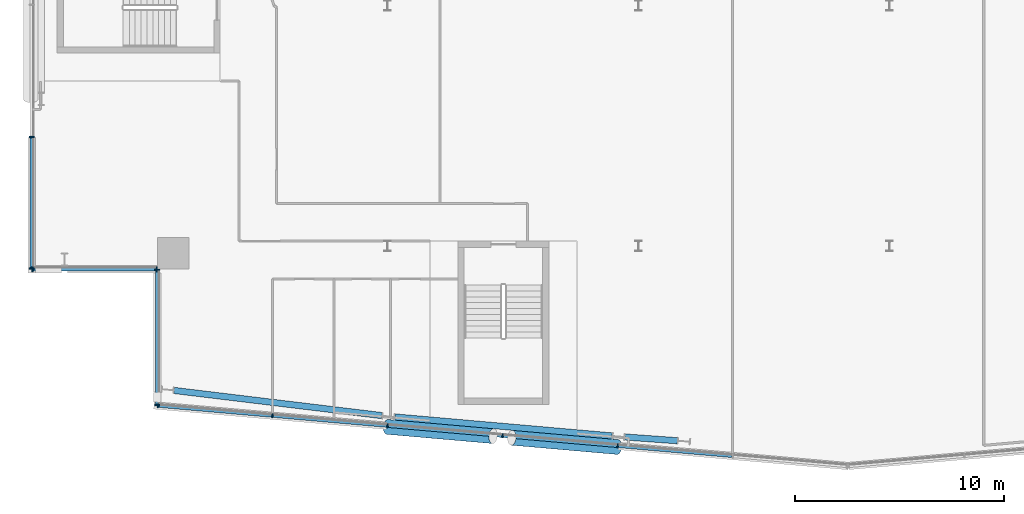
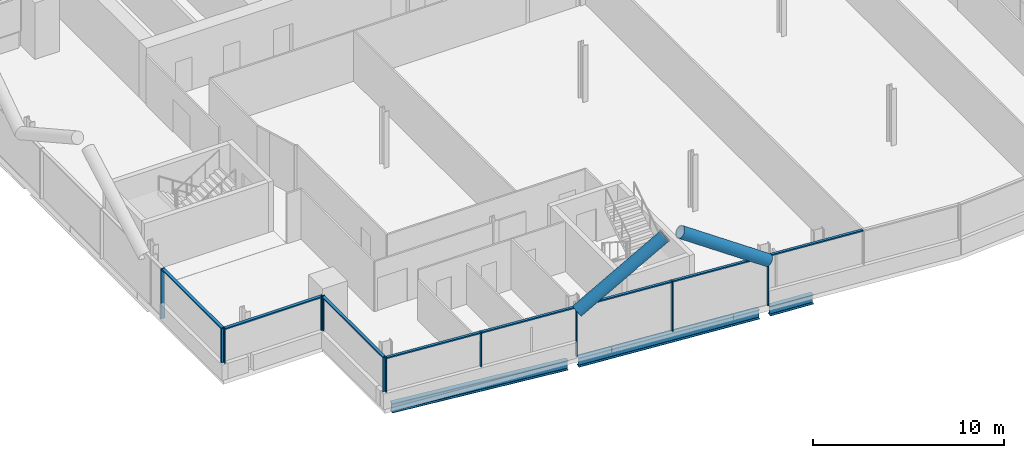
# One storey, part 6 of 26: 21 members, 3 beams, 4 elements without a shape of their own.
"""IFC4 building model written with IfcOpenShell, lengths in metres."""

from ifc_helpers import new_model, si_unit, direction, frame, origin, origin_2d, place, context, subcontext, project, spatial, rectangle, hollow_circle, i_section, extrude, material, material_profile, profile_set, type_object, element, aggregate, save


model = new_model("IFC4")

# Units and contexts
model_context = context("Model", 3, precision=1e-05, world=origin(), true_north=direction((0.0, 1.0)))
body_context = subcontext(model_context, "Body", "Model", "MODEL_VIEW")
ifc_project = project(units=[si_unit("LENGTHUNIT", "METRE"), si_unit("AREAUNIT", "SQUARE_METRE"), si_unit("VOLUMEUNIT", "CUBIC_METRE"), si_unit("PLANEANGLEUNIT", "RADIAN"), si_unit("MASSUNIT", "GRAM", prefix="KILO")], contexts=[model_context])

# Site, building, storey
site_placement = place(None, origin())
site = spatial("IfcSite", under=ifc_project, at=site_placement, CompositionType="ELEMENT")
building_placement = place(site_placement, origin())
building = spatial("IfcBuilding", under=site, at=building_placement, Name="Wharfspan Tower", CompositionType="ELEMENT")
storey_placement = place(building_placement, frame((0.0, 0.0, 184.300049)))
storey = spatial("IfcBuildingStorey", under=building, at=storey_placement, Name="L45", CompositionType="ELEMENT", Elevation=184.300049)

# Beams
ifc_material_1 = material(Name="Steel S355J2", Category="steel")
ifc_material_profile_1 = material_profile(ifc_material_1, i_section(OverallWidth=0.300049, OverallDepth=0.600098, WebThickness=0.015381, FlangeThickness=0.030029, FilletRadius=0.0271, at=origin_2d()))
ifc_profile_set_1 = profile_set([ifc_material_profile_1], Name="Steel S355J2")
beam_type = type_object("IfcBeamType", Name="Edge beam HEB 600", PredefinedType="SPANDREL", material=ifc_profile_set_1)
beam_1_placement = place(storey_placement, frame((13.794678, 4.600586, -0.699951), z_axis=(0.992758, -0.12013, 0.0), x_axis=(0.12013, 0.992758, 0.0)))
element("IfcBeam", 1, at=beam_1_placement, inside=storey, type_object=beam_type, Name="Edge beam S1 L45 PS1.1 to PS1.2", PredefinedType="SPANDREL", context=body_context, shape_type="SweptSolid", body=[
    extrude(i_section(OverallWidth=0.300049, OverallDepth=0.600098, WebThickness=0.015381, FlangeThickness=0.030029, FilletRadius=0.0271, at=origin_2d()), origin(), (0.0, 0.0, 1.0), 10.013184),
])
beam_2_placement = place(storey_placement, frame((24.343994, 3.334229, -0.699951), z_axis=(0.996196, -0.087146, 0.0), x_axis=(0.087146, 0.996196, 0.0)))
element("IfcBeam", 2, at=beam_2_placement, inside=storey, type_object=beam_type, Name="Edge beam S1 L45 PS1.2 to PS1.3", PredefinedType="SPANDREL", context=body_context, shape_type="SweptSolid", body=[
    extrude(i_section(OverallWidth=0.300049, OverallDepth=0.600098, WebThickness=0.015381, FlangeThickness=0.030029, FilletRadius=0.0271, at=origin_2d()), origin(), (0.0, 0.0, 1.0), 10.430176),
])
beam_3_placement = place(storey_placement, frame((35.344482, 2.376709, -0.699951), z_axis=(0.997423, -0.07175, 0.0), x_axis=(0.07175, 0.997423, 0.0)))
element("IfcBeam", 3, at=beam_3_placement, inside=storey, type_object=beam_type, Name="Edge beam S1 L45 PS1.3 to PS1.4", PredefinedType="SPANDREL", context=body_context, shape_type="SweptSolid", body=[
    extrude(i_section(OverallWidth=0.300049, OverallDepth=0.600098, WebThickness=0.015381, FlangeThickness=0.030029, FilletRadius=0.0271, at=origin_2d()), origin(), (0.0, 0.0, 1.0), 2.518066),
])

# Curtain wall, members
ifc_material_2 = material(Name="Aluminium 6063-T6", Category="aluminium")
curtain_wall_type_1 = type_object("IfcCurtainWallType", Name="CURTAIN WALL FACETED FRONT", PredefinedType="NOTDEFINED", material=ifc_material_2)
curtain_wall_1_placement = place(storey_placement, origin())
curtain_wall_1 = element("IfcCurtainWall", 4, at=curtain_wall_1_placement, inside=storey, type_object=curtain_wall_type_1, Name="Curtain wall S1", PredefinedType="NOTDEFINED")
ifc_material_profile_2 = material_profile(ifc_material_2, rectangle(XDim=0.199951, YDim=0.060059, at=origin_2d()))
ifc_profile_set_2 = profile_set([ifc_material_profile_2], Name="Aluminium 6063-T6")
member_type_1 = type_object("IfcMemberType", Name="MULLION FACETED FRONT 60x200", PredefinedType="MULLION", material=ifc_profile_set_2)
member_1_placement = place(storey_placement, frame((13.029785, 3.872559, 1.0), z_axis=(0.0, 0.0, 1.0), x_axis=(0.087156, 0.996198, 0.0)))
member_1 = element("IfcMember", 5, at=member_1_placement, type_object=member_type_1, Name="Curtain wall S1 mullion 1", PredefinedType="MULLION", context=body_context, shape_type="SweptSolid", body=[
    extrude(rectangle(XDim=0.199951, YDim=0.060059, at=origin_2d()), origin(), (0.0, 0.0, 1.0), 2.199951),
])
member_2_placement = place(storey_placement, frame((18.5, 3.393799, 1.0), z_axis=(0.0, 0.0, 1.0), x_axis=(0.087156, 0.996198, 0.0)))
member_2 = element("IfcMember", 6, at=member_2_placement, type_object=member_type_1, Name="Curtain wall S1 mullion 2", PredefinedType="MULLION", context=body_context, shape_type="SweptSolid", body=[
    extrude(rectangle(XDim=0.199951, YDim=0.060059, at=origin_2d()), origin(), (0.0, 0.0, 1.0), 2.199951),
])
member_3_placement = place(storey_placement, frame((24.0, 2.912598, 0.0), z_axis=(0.0, 0.0, 1.0), x_axis=(0.087156, 0.996198, 0.0)))
member_3 = element("IfcMember", 7, at=member_3_placement, type_object=member_type_1, Name="Curtain wall S1 mullion 3", PredefinedType="MULLION", context=body_context, shape_type="SweptSolid", body=[
    extrude(rectangle(XDim=0.199951, YDim=0.060059, at=origin_2d()), origin(), (0.0, 0.0, 1.0), 3.199951),
])
member_4_placement = place(storey_placement, frame((29.5, 2.431396, 0.0), z_axis=(0.0, 0.0, 1.0), x_axis=(0.087156, 0.996198, 0.0)))
member_4 = element("IfcMember", 8, at=member_4_placement, type_object=member_type_1, Name="Curtain wall S1 mullion 4", PredefinedType="MULLION", context=body_context, shape_type="SweptSolid", body=[
    extrude(rectangle(XDim=0.199951, YDim=0.060059, at=origin_2d()), origin(), (0.0, 0.0, 1.0), 3.199951),
])
member_5_placement = place(storey_placement, frame((35.0, 1.950195, 0.0), z_axis=(0.0, 0.0, 1.0), x_axis=(0.087156, 0.996198, 0.0)))
member_5 = element("IfcMember", 9, at=member_5_placement, type_object=member_type_1, Name="Curtain wall S1 mullion 5", PredefinedType="MULLION", context=body_context, shape_type="SweptSolid", body=[
    extrude(rectangle(XDim=0.199951, YDim=0.060059, at=origin_2d()), origin(), (0.0, 0.0, 1.0), 3.199951),
])

curtain_wall_type_2 = type_object("IfcCurtainWallType", Name="CURTAIN WALL PROW AND END", PredefinedType="NOTDEFINED", material=ifc_material_2)
curtain_wall_2_placement = place(storey_placement, origin())
curtain_wall_2 = element("IfcCurtainWall", 10, at=curtain_wall_2_placement, inside=storey, type_object=curtain_wall_type_2, Name="Curtain wall W", PredefinedType="NOTDEFINED")
ifc_material_profile_3 = material_profile(ifc_material_2, rectangle(XDim=0.23999, YDim=0.060059, at=origin_2d()))
ifc_profile_set_3 = profile_set([ifc_material_profile_3], Name="Aluminium 6063-T6")
member_type_2 = type_object("IfcMemberType", Name="MULLION PROW AND END 60x240", PredefinedType="MULLION", material=ifc_profile_set_3)
member_6_placement = place(storey_placement, frame((7.0, 16.719971, 0.0), z_axis=(0.0, 0.0, 1.0), x_axis=(1.0, 0.0, 0.0)))
member_6 = element("IfcMember", 11, at=member_6_placement, type_object=member_type_2, Name="Curtain wall W mullion 5", PredefinedType="MULLION", context=body_context, shape_type="SweptSolid", body=[
    extrude(rectangle(XDim=0.23999, YDim=0.060059, at=origin_2d()), origin(), (0.0, 0.0, 1.0), 3.199951),
])
member_7_placement = place(storey_placement, frame((7.0, 10.429932, 1.0), z_axis=(0.0, 0.0, 1.0), x_axis=(1.0, 0.0, 0.0)))
member_7 = element("IfcMember", 12, at=member_7_placement, type_object=member_type_2, Name="Curtain wall W mullion 6", PredefinedType="MULLION", context=body_context, shape_type="SweptSolid", body=[
    extrude(rectangle(XDim=0.23999, YDim=0.060059, at=origin_2d()), origin(), (0.0, 0.0, 1.0), 2.199951),
])

curtain_wall_3_placement = place(storey_placement, origin())
curtain_wall_3 = element("IfcCurtainWall", 13, at=curtain_wall_3_placement, inside=storey, type_object=curtain_wall_type_2, Name="Curtain wall NFW-H", PredefinedType="NOTDEFINED")
member_8_placement = place(storey_placement, frame((7.030029, 10.399902, 1.0), z_axis=(0.0, 0.0, 1.0), x_axis=(0.0, 1.0, 0.0)))
member_8 = element("IfcMember", 14, at=member_8_placement, type_object=member_type_2, Name="Curtain wall NFW-H mullion 1", PredefinedType="MULLION", context=body_context, shape_type="SweptSolid", body=[
    extrude(rectangle(XDim=0.23999, YDim=0.060059, at=origin_2d()), origin(), (0.0, 0.0, 1.0), 2.199951),
])
member_9_placement = place(storey_placement, frame((12.969971, 10.399902, 1.0), z_axis=(0.0, 0.0, 1.0), x_axis=(0.0, 1.0, 0.0)))
member_9 = element("IfcMember", 15, at=member_9_placement, type_object=member_type_2, Name="Curtain wall NFW-H mullion 2", PredefinedType="MULLION", context=body_context, shape_type="SweptSolid", body=[
    extrude(rectangle(XDim=0.23999, YDim=0.060059, at=origin_2d()), origin(), (0.0, 0.0, 1.0), 2.199951),
])

curtain_wall_4_placement = place(storey_placement, origin())
curtain_wall_4 = element("IfcCurtainWall", 16, at=curtain_wall_4_placement, inside=storey, type_object=curtain_wall_type_2, Name="Curtain wall NFW-V", PredefinedType="NOTDEFINED")
member_10_placement = place(storey_placement, frame((13.0, 10.370117, 1.0), z_axis=(0.0, 0.0, 1.0), x_axis=(1.0, 0.0, 0.0)))
member_10 = element("IfcMember", 17, at=member_10_placement, type_object=member_type_2, Name="Curtain wall NFW-V mullion 1", PredefinedType="MULLION", context=body_context, shape_type="SweptSolid", body=[
    extrude(rectangle(XDim=0.23999, YDim=0.060059, at=origin_2d()), origin(), (0.0, 0.0, 1.0), 2.199951),
])
member_11_placement = place(storey_placement, frame((13.0, 3.905029, 1.0), z_axis=(0.0, 0.0, 1.0), x_axis=(1.0, 0.0, 0.0)))
member_11 = element("IfcMember", 18, at=member_11_placement, type_object=member_type_2, Name="Curtain wall NFW-V mullion 2", PredefinedType="MULLION", context=body_context, shape_type="SweptSolid", body=[
    extrude(rectangle(XDim=0.23999, YDim=0.060059, at=origin_2d()), origin(), (0.0, 0.0, 1.0), 2.199951),
])

# Members
ifc_material_3 = material(Name="Steel S460NH", Category="steel")
ifc_material_profile_4 = material_profile(ifc_material_3, hollow_circle(Radius=0.355469, WallThickness=0.035889, at=origin_2d()))
ifc_profile_set_4 = profile_set([ifc_material_profile_4], Name="Steel S460NH")
member_type_3 = type_object("IfcMemberType", Name="Mega brace CHS 711x36", PredefinedType="BRACE", material=ifc_profile_set_4)
for number, where, z_axis, x_axis, name in (
    (19, (23.995117, 2.85791, 2.899902), (0.834469, -0.073006, 0.546197), (0.087156, 0.996198, -1e-06), "Mega brace S1 L46 part 1"),
    (20, (34.995117, 1.895508, 2.899902), (-0.834469, 0.073006, 0.546197), (-0.087156, -0.996198, -1e-06), "Mega brace S1 L46 part 3"),
):
    element("IfcMember", number, at=place(storey_placement, frame(where, z_axis=z_axis, x_axis=x_axis)), inside=storey, type_object=member_type_3, Name=name, PredefinedType="BRACE", context=body_context, shape_type="SweptSolid", body=[
        extrude(hollow_circle(Radius=0.355469, WallThickness=0.035889, at=origin_2d()), origin(), (0.0, 0.0, 1.0), 6.049561),
    ])

# Member
ifc_material_profile_5 = material_profile(ifc_material_2, rectangle(XDim=0.159912, YDim=0.080078, at=origin_2d()))
ifc_profile_set_5 = profile_set([ifc_material_profile_5], Name="Aluminium 6063-T6")
member_type_4 = type_object("IfcMemberType", Name="TRANSOM FACETED FRONT 80x160", PredefinedType="USERDEFINED", material=ifc_profile_set_5)
member_12_placement = place(storey_placement, frame((13.059814, 3.869873, 3.159912), z_axis=(0.996194, -0.087163, 0.0), x_axis=(0.087163, 0.996194, 0.0)))
member_12 = element("IfcMember", 21, at=member_12_placement, type_object=member_type_4, Name="Curtain wall S1 transom 1", ObjectType="TRANSOM", PredefinedType="USERDEFINED", context=body_context, shape_type="SweptSolid", body=[
    extrude(rectangle(XDim=0.159912, YDim=0.080078, at=origin_2d()), origin(), (0.0, 0.0, 1.0), 5.431152),
])

member_13_placement = place(storey_placement, frame((18.529785, 3.391357, 3.159912), z_axis=(0.996193, -0.087174, 0.0), x_axis=(0.087174, 0.996193, 0.0)))
member_13 = element("IfcMember", 22, at=member_13_placement, type_object=member_type_4, Name="Curtain wall S1 transom 2", ObjectType="TRANSOM", PredefinedType="USERDEFINED", context=body_context, shape_type="SweptSolid", body=[
    extrude(rectangle(XDim=0.159912, YDim=0.080078, at=origin_2d()), origin(), (0.0, 0.0, 1.0), 5.461182),
])

member_14_placement = place(storey_placement, frame((24.029785, 2.910156, 3.159912), z_axis=(0.996193, -0.087174, 0.0), x_axis=(0.087174, 0.996193, 0.0)))
member_14 = element("IfcMember", 23, at=member_14_placement, type_object=member_type_4, Name="Curtain wall S1 transom 3", ObjectType="TRANSOM", PredefinedType="USERDEFINED", context=body_context, shape_type="SweptSolid", body=[
    extrude(rectangle(XDim=0.159912, YDim=0.080078, at=origin_2d()), origin(), (0.0, 0.0, 1.0), 5.461182),
])

member_15_placement = place(storey_placement, frame((29.529785, 2.428955, 3.159912), z_axis=(0.996193, -0.087174, 0.0), x_axis=(0.087174, 0.996193, 0.0)))
member_15 = element("IfcMember", 24, at=member_15_placement, type_object=member_type_4, Name="Curtain wall S1 transom 4", ObjectType="TRANSOM", PredefinedType="USERDEFINED", context=body_context, shape_type="SweptSolid", body=[
    extrude(rectangle(XDim=0.159912, YDim=0.080078, at=origin_2d()), origin(), (0.0, 0.0, 1.0), 5.461182),
])

member_16_placement = place(storey_placement, frame((35.029785, 1.947754, 3.159912), z_axis=(0.996193, -0.087174, 0.0), x_axis=(0.087174, 0.996193, 0.0)))
member_16 = element("IfcMember", 25, at=member_16_placement, type_object=member_type_4, Name="Curtain wall S1 transom 5", ObjectType="TRANSOM", PredefinedType="USERDEFINED", context=body_context, shape_type="SweptSolid", body=[
    extrude(rectangle(XDim=0.159912, YDim=0.080078, at=origin_2d()), origin(), (0.0, 0.0, 1.0), 5.461182),
])

aggregate(curtain_wall_1, [member_1, member_2, member_3, member_4, member_5, member_12, member_13, member_14, member_15, member_16])

ifc_material_profile_6 = material_profile(ifc_material_2, rectangle(XDim=0.179932, YDim=0.080078, at=origin_2d()))
ifc_profile_set_6 = profile_set([ifc_material_profile_6], Name="Aluminium 6063-T6")
member_type_5 = type_object("IfcMemberType", Name="TRANSOM PROW AND END 80x180", PredefinedType="USERDEFINED", material=ifc_profile_set_6)
member_17_placement = place(storey_placement, frame((7.0, 16.689941, 3.159912), z_axis=(0.0, -1.0, 0.0), x_axis=(1.0, 0.0, 0.0)))
member_17 = element("IfcMember", 26, at=member_17_placement, type_object=member_type_5, Name="Curtain wall W transom 5", ObjectType="TRANSOM", PredefinedType="USERDEFINED", context=body_context, shape_type="SweptSolid", body=[
    extrude(rectangle(XDim=0.179932, YDim=0.080078, at=origin_2d()), origin(), (0.0, 0.0, 1.0), 6.22998),
])

aggregate(curtain_wall_2, [member_6, member_7, member_17])

member_18_placement = place(storey_placement, frame((7.060059, 10.399902, 3.159912), z_axis=(1.0, 0.0, 0.0), x_axis=(0.0, 1.0, 0.0)))
member_18 = element("IfcMember", 27, at=member_18_placement, type_object=member_type_5, Name="Curtain wall NFW-H transom 1", ObjectType="TRANSOM", PredefinedType="USERDEFINED", context=body_context, shape_type="SweptSolid", body=[
    extrude(rectangle(XDim=0.179932, YDim=0.080078, at=origin_2d()), origin(), (0.0, 0.0, 1.0), 5.879883),
])

aggregate(curtain_wall_3, [member_8, member_9, member_18])

member_19_placement = place(storey_placement, frame((13.0, 10.340088, 3.159912), z_axis=(0.0, -1.0, 0.0), x_axis=(1.0, 0.0, 0.0)))
member_19 = element("IfcMember", 28, at=member_19_placement, type_object=member_type_5, Name="Curtain wall NFW-V transom 1", ObjectType="TRANSOM", PredefinedType="USERDEFINED", context=body_context, shape_type="SweptSolid", body=[
    extrude(rectangle(XDim=0.179932, YDim=0.080078, at=origin_2d()), origin(), (0.0, 0.0, 1.0), 6.405029),
])

aggregate(curtain_wall_4, [member_10, member_11, member_19])

save(model, "model.ifc")
